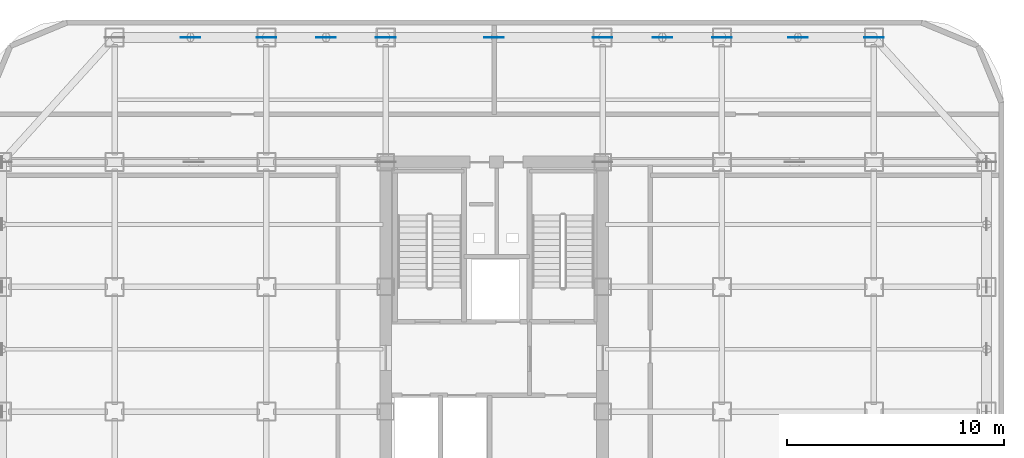
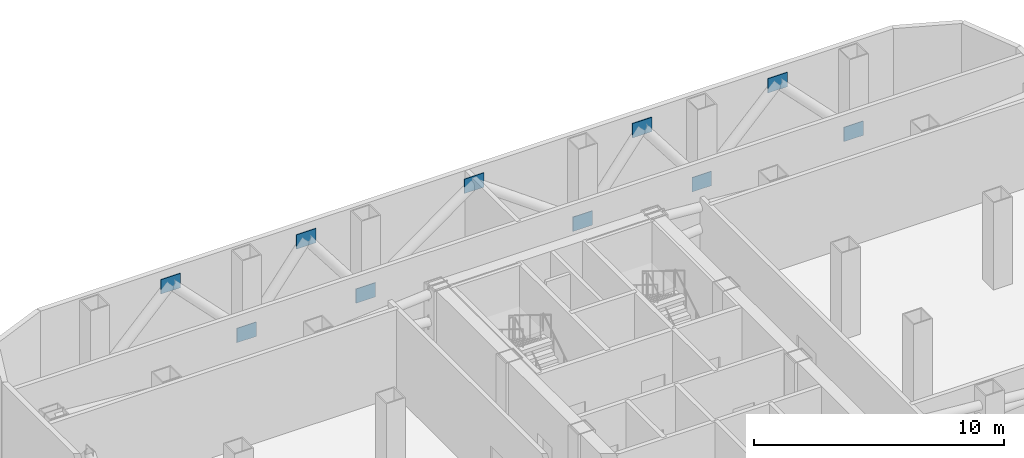
# One storey, part 4 of 9: 10 plates.
"""IFC4 building model written with IfcOpenShell, lengths in metres."""

from ifc_helpers import new_model, si_unit, direction, frame, origin, origin_2d, place, context, subcontext, project, spatial, rectangle, extrude, source, transform, mapped, material, layer, layer_set, type_object, element, save


model = new_model("IFC4")

# Units and contexts
model_context = context("Model", 3, precision=1e-05, world=origin(), true_north=direction((0.0, 1.0)))
body_context = subcontext(model_context, "Body", "Model", "MODEL_VIEW")
ifc_project = project(units=[si_unit("LENGTHUNIT", "METRE"), si_unit("AREAUNIT", "SQUARE_METRE"), si_unit("VOLUMEUNIT", "CUBIC_METRE"), si_unit("PLANEANGLEUNIT", "RADIAN"), si_unit("MASSUNIT", "GRAM", prefix="KILO")], contexts=[model_context])

# Site, building, storey
site_placement = place(None, origin())
site = spatial("IfcSite", under=ifc_project, at=site_placement, CompositionType="ELEMENT")
building_placement = place(site_placement, origin())
building = spatial("IfcBuilding", under=site, at=building_placement, Name="Kolveth Station Tower", CompositionType="ELEMENT")
storey_placement = place(building_placement, frame((0.0, 0.0, 143.89990234375)))
storey = spatial("IfcBuildingStorey", under=building, at=storey_placement, Name="L40", CompositionType="ELEMENT", Elevation=143.89990234375)

# Plates
ifc_material = material(Name="Steel S460", Category="steel")
ifc_layer = layer(ifc_material, 0.031982421875)
ifc_layer_set = layer_set([ifc_layer], Name="Steel S460")
plate_type = type_object("IfcPlateType", Name="Plate_GP1", PredefinedType="USERDEFINED", material=ifc_layer_set)
shared_shape = source(origin(), body_context, "Body", "SweptSolid", [
    extrude(rectangle(XDim=0.89990234375, YDim=0.031982421875, at=origin_2d()), origin(), (0.0, 0.0, 1.0), 0.699951171875),
])
for number, where, z_axis, x_axis, name in (
    (1, (13.0, 34.5, 0.0), (0.0, 0.0, 1.0), (1.0, 0.0, 0.0), "L40 Belt Truss Base Gusset N2"),
    (2, (18.5, 34.5, 0.0), (0.0, 0.0, 1.0), (1.0, 0.0, 0.0), "L40 Belt Truss Base Gusset N3"),
    (3, (28.5, 34.5, 0.0), (0.0, 0.0, 1.0), (1.0, 0.0, 0.0), "L40 Belt Truss Base Gusset N4"),
    (4, (34.0, 34.5, 0.0), (0.0, 0.0, 1.0), (1.0, 0.0, 0.0), "L40 Belt Truss Base Gusset N5"),
    (5, (41.0, 34.5, 0.0), (0.0, 0.0, 1.0), (1.0, 0.0, 0.0), "L40 Belt Truss Base Gusset N6"),
    (6, (9.5, 34.5, 3.60009765625), (0.0, 0.0, 1.0), (1.0, 0.0, 0.0), "L40 Belt Truss Node Gusset N1"),
    (7, (15.75, 34.5, 3.60009765625), (0.0, 0.0, 1.0), (1.0, 0.0, 0.0), "L40 Belt Truss Node Gusset N2"),
    (8, (23.5, 34.5, 3.60009765625), (0.0, 0.0, 1.0), (1.0, 0.0, 0.0), "L40 Belt Truss Node Gusset N3"),
    (9, (31.25, 34.5, 3.60009765625), (0.0, 0.0, 1.0), (1.0, 0.0, 0.0), "L40 Belt Truss Node Gusset N4"),
    (10, (37.5, 34.5, 3.60009765625), (0.0, 0.0, 1.0), (1.0, 0.0, 0.0), "L40 Belt Truss Node Gusset N5"),
):
    element("IfcPlate", number, at=place(storey_placement, frame(where, z_axis=z_axis, x_axis=x_axis)), inside=storey, type_object=plate_type, Name=name, ObjectType="GUSSET_PLATE", PredefinedType="USERDEFINED", context=body_context, shape_type="MappedRepresentation", body=[
        mapped(shared_shape, transform((0.0, 0.0, 0.0), x_axis=(1.0, 0.0, 0.0), y_axis=(0.0, 1.0, 0.0), z_axis=(0.0, 0.0, 1.0), scale=1.0)),
    ])

save(model, "model.ifc")
